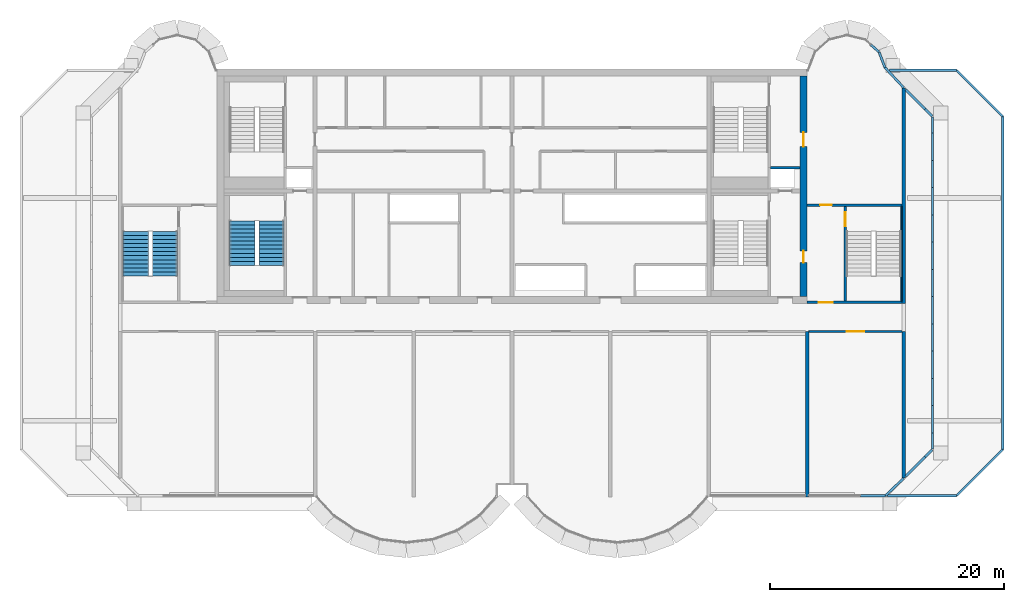
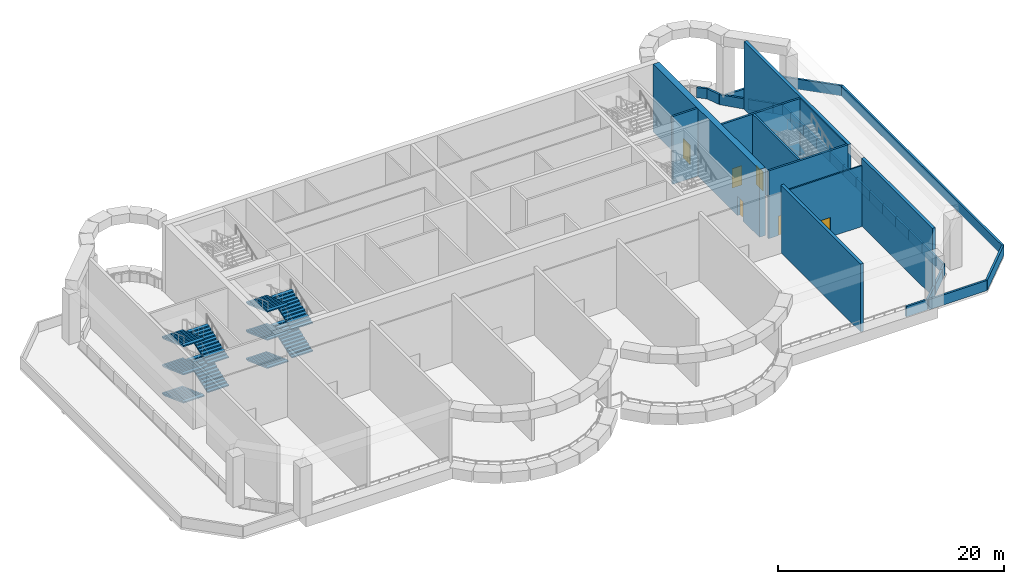
# One storey, part 5 of 11: 37 walls, 10 stair flights, 6 doors, 6 openings, 2 elements without a shape of their own.
"""IFC4 building model written with IfcOpenShell, lengths in metres."""

from ifc_helpers import new_model, si_unit, direction, frame, frame_2d, origin, place, context, subcontext, project, spatial, polyline, rectangle, outline, extrude, source, transform, mapped, material, layer, layer_set, type_object, element, fill, aggregate, save


model = new_model("IFC4")

# Units and contexts
model_context = context("Model", 3, precision=1e-05, world=origin(), true_north=direction((0.0, 1.0)))
body_context = subcontext(model_context, "Body", "Model", "MODEL_VIEW")
ifc_project = project(units=[si_unit("LENGTHUNIT", "METRE"), si_unit("AREAUNIT", "SQUARE_METRE"), si_unit("VOLUMEUNIT", "CUBIC_METRE"), si_unit("PLANEANGLEUNIT", "RADIAN"), si_unit("MASSUNIT", "GRAM", prefix="KILO")], contexts=[model_context])

# Site, building, storey
site_placement = place(None, origin())
site = spatial("IfcSite", under=ifc_project, at=site_placement, CompositionType="ELEMENT")
building_placement = place(site_placement, origin())
building = spatial("IfcBuilding", under=site, at=building_placement, Name="Vanashikhar Sky Hotel", CompositionType="ELEMENT")
storey_placement = place(building_placement, frame((0.0, 0.0, 206.39990234375)))
storey = spatial("IfcBuildingStorey", under=building, at=storey_placement, Name="L50", CompositionType="ELEMENT", Elevation=206.39990234375)

# Wall, openings, doors
ifc_material_1 = material(Name="Concrete M60", Category="concrete")
ifc_layer_1 = layer(ifc_material_1, 0.60009765625)
ifc_layer_set_1 = layer_set([ifc_layer_1], Name="RC core shell wall 600 Concrete M60")
wall_type_1 = type_object("IfcWallType", Name="RC core shell wall 600 Concrete M60", PredefinedType="SHEAR", material=ifc_layer_set_1)
shared_shape_1 = source(origin(), body_context, "Body", "SweptSolid", [
    extrude(rectangle(XDim=18.7998046875, YDim=0.60009765625, at=frame_2d((9.39990234375, 0.0))), origin(), (0.0, 0.0, 1.0), 7.320068359375),
])
wall_1_placement = place(storey_placement, frame((75.300048828125, 22.60009765625, 0.0), z_axis=(0.0, 0.0, 1.0), x_axis=(0.0, 1.0, 0.0)))
wall_1 = element("IfcWall", 1, at=wall_1_placement, inside=storey, type_object=wall_type_1, Name="KW-L50-KE", PredefinedType="SHEAR", context=body_context, shape_type="MappedRepresentation", body=[
    mapped(shared_shape_1, transform((0.0, 0.0, 0.0), scale=1.0)),
])
shared_shape_2 = source(origin(), body_context, "Body", "SweptSolid", [
    extrude(rectangle(XDim=1.0, YDim=2.10009765625, at=frame_2d((0.5, 1.050048828125))), frame((0.0, 0.31005859375, 0.0), z_axis=(0.0, -1.0, 0.0), x_axis=(1.0, 0.0, 0.0)), (0.0, 0.0, 1.0), 0.6201171875),
])
opening_1_placement = place(wall_1_placement, frame((2.89990234375, 0.0, 0.0)))
opening_1 = element("IfcOpeningElement", 2, at=opening_1_placement, cuts=wall_1, Name="Opening DC-5", PredefinedType="OPENING", context=body_context, shape_type="MappedRepresentation", body=[
    mapped(shared_shape_2, transform((0.0, 0.0, 0.0), scale=1.0)),
])
shared_shape_3 = source(origin(), body_context, "Body", "SweptSolid", [
    extrude(rectangle(XDim=1.199951171875, YDim=2.10009765625, at=frame_2d((0.60009765625, 1.050048828125))), frame((0.0, 0.31005859375, 0.0), z_axis=(0.0, -1.0, 0.0), x_axis=(1.0, 0.0, 0.0)), (0.0, 0.0, 1.0), 0.6201171875),
])
opening_2_placement = place(wall_1_placement, frame((12.800048828125, 0.0, 0.0)))
opening_2 = element("IfcOpeningElement", 3, at=opening_2_placement, cuts=wall_1, Name="Opening DC-4-D", PredefinedType="OPENING", context=body_context, shape_type="MappedRepresentation", body=[
    mapped(shared_shape_3, transform((0.0, 0.0, 0.0), scale=1.0)),
])
ifc_material_2 = material(Name="Steel", Category="steel")
door_type_1 = type_object("IfcDoorType", Name="Refuge door 1000 FD120", OperationType="NOTDEFINED", PredefinedType="DOOR", material=ifc_material_2)
shared_shape_4 = source(origin(), body_context, "Body", "SweptSolid", [
    extrude(rectangle(XDim=1.0, YDim=2.10009765625, at=frame_2d((0.5, 1.050048828125))), frame((0.0, 0.02490234375, 0.0), z_axis=(0.0, -1.0, 0.0), x_axis=(1.0, 0.0, 0.0)), (0.0, 0.0, 1.0), 0.050048828125),
])
door_1_placement = place(opening_1_placement, origin())
door_1 = element("IfcDoor", 4, at=door_1_placement, inside=storey, type_object=door_type_1, Name="Refuge door 1000 FD120", OperationType="SINGLE_SWING_RIGHT", OverallHeight=2.10009765625, OverallWidth=1.0, PredefinedType="DOOR", context=body_context, shape_type="MappedRepresentation", body=[
    mapped(shared_shape_4, transform((0.0, 0.0, 0.0), scale=1.0)),
])
fill(opening_1, door_1)
door_type_2 = type_object("IfcDoorType", Name="Service door 1200 FD120", OperationType="NOTDEFINED", PredefinedType="DOOR", material=ifc_material_2)
shared_shape_5 = source(origin(), body_context, "Body", "SweptSolid", [
    extrude(rectangle(XDim=1.199951171875, YDim=2.10009765625, at=frame_2d((0.60009765625, 1.050048828125))), frame((0.0, 0.02490234375, 0.0), z_axis=(0.0, -1.0, 0.0), x_axis=(1.0, 0.0, 0.0)), (0.0, 0.0, 1.0), 0.050048828125),
])
door_2_placement = place(opening_2_placement, origin())
door_2 = element("IfcDoor", 5, at=door_2_placement, inside=storey, type_object=door_type_2, Name="Service door 1200 FD120", OperationType="SINGLE_SWING_LEFT", OverallHeight=2.10009765625, OverallWidth=1.199951171875, PredefinedType="DOOR", context=body_context, shape_type="MappedRepresentation", body=[
    mapped(shared_shape_5, transform((0.0, 0.0, 0.0), scale=1.0)),
])
fill(opening_2, door_2)

# Walls
ifc_layer_2 = layer(ifc_material_1, 0.300048828125)
ifc_layer_set_2 = layer_set([ifc_layer_2], Name="RC shear wall 300 Concrete M60")
wall_type_2 = type_object("IfcWallType", Name="RC shear wall 300 Concrete M60", PredefinedType="SHEAR", material=ifc_layer_set_2)
shared_shape_6 = source(origin(), body_context, "Body", "SweptSolid", [
    extrude(rectangle(XDim=12.5, YDim=0.300048828125, at=frame_2d((6.25, 0.0))), origin(), (0.0, 0.0, 1.0), 7.320068359375),
])
wall_2_placement = place(storey_placement, frame((83.85009765625, 7.10009765625, 0.0), z_axis=(0.0, 0.0, 1.0), x_axis=(0.0, 1.0, 0.0)))
element("IfcWall", 6, at=wall_2_placement, inside=storey, type_object=wall_type_2, Name="CW-L50-XW11-1", PredefinedType="SHEAR", context=body_context, shape_type="MappedRepresentation", body=[
    mapped(shared_shape_6, transform((0.0, 0.0, 0.0), scale=1.0)),
])
shared_shape_7 = source(origin(), body_context, "Body", "SweptSolid", [
    extrude(rectangle(XDim=18.39990234375, YDim=0.300048828125, at=frame_2d((9.199951171875, 0.0))), origin(), (0.0, 0.0, 1.0), 7.320068359375),
])
wall_3_placement = place(storey_placement, frame((83.85009765625, 22.0, 0.0), z_axis=(0.0, 0.0, 1.0), x_axis=(0.0, 1.0, 0.0)))
element("IfcWall", 7, at=wall_3_placement, inside=storey, type_object=wall_type_2, Name="CW-L50-XW11-2", PredefinedType="SHEAR", context=body_context, shape_type="MappedRepresentation", body=[
    mapped(shared_shape_7, transform((0.0, 0.0, 0.0), scale=1.0)),
])
shared_shape_8 = source(origin(), body_context, "Body", "SweptSolid", [
    extrude(rectangle(XDim=14.10009765625, YDim=0.300048828125, at=frame_2d((7.050048828125, 0.0))), origin(), (0.0, 0.0, 1.0), 7.320068359375),
])
wall_4_placement = place(storey_placement, frame((75.60009765625, 5.5, 0.0), z_axis=(0.0, 0.0, 1.0), x_axis=(0.0, 1.0, 0.0)))
element("IfcWall", 8, at=wall_4_placement, inside=storey, type_object=wall_type_2, Name="CW-L50-XW10-1", PredefinedType="SHEAR", context=body_context, shape_type="MappedRepresentation", body=[
    mapped(shared_shape_8, transform((0.0, 0.0, 0.0), scale=1.0)),
])
ifc_material_3 = material(Name="Concrete M50", Category="concrete")
ifc_layer_3 = layer(ifc_material_3, 0.199951171875)
ifc_layer_set_3 = layer_set([ifc_layer_3], Name="Parapet 200")
wall_type_3 = type_object("IfcWallType", Name="Parapet 200", PredefinedType="PARAPET", material=ifc_layer_set_3)
shared_shape_9 = source(origin(), body_context, "Body", "SweptSolid", [
    extrude(rectangle(XDim=2.32421875, YDim=0.199951171875, at=frame_2d((1.162109375, 0.0))), origin(), (0.0, 0.0, 1.0), 1.10009765625),
])
for number, where, z_axis, x_axis, name in (
    (9, (84.02001953125, 40.238525390625, 0.0), (0.0, 0.0, 1.0), (0.707106781187, -0.707106781187, 0.0), "Floor edge parapet"),
    (10, (86.300048828125, 34.209716796875, 0.0), (0.0, 0.0, 1.0), (0.0, -1.0, 0.0), "Floor edge parapet"),
    (11, (86.300048828125, 24.912109375, 0.0), (0.0, 0.0, 1.0), (0.0, -1.0, 0.0), "Floor edge parapet"),
    (12, (86.300048828125, 15.614501953125, 0.0), (0.0, 0.0, 1.0), (0.0, -1.0, 0.0), "Floor edge parapet"),
    (13, (85.66357421875, 8.905029296875, 0.0), (0.0, 0.0, 1.0), (-0.707106781187, -0.707106781187, 0.0), "Floor edge parapet"),
):
    element("IfcWall", number, at=place(storey_placement, frame(where, z_axis=z_axis, x_axis=x_axis)), inside=storey, type_object=wall_type_3, Name=name, PredefinedType="PARAPET", context=body_context, shape_type="MappedRepresentation", body=[
        mapped(shared_shape_9, transform((0.0, 0.0, 0.0), scale=1.0)),
    ])
shared_shape_10 = source(origin(), body_context, "Body", "SweptSolid", [
    extrude(rectangle(XDim=0.858642578125, YDim=0.199951171875, at=frame_2d((0.42919921875, 0.0))), origin(), (0.0, 0.0, 1.0), 1.10009765625),
])
for number, where, z_axis, x_axis, name in (
    (14, (85.66357421875, 38.594970703125, 0.0), (0.0, 0.0, 1.0), (0.707106781187, -0.707106781187, 0.0), "Floor edge parapet"),
    (15, (86.270751953125, 9.51220703125, 0.0), (0.0, 0.0, 1.0), (-0.707106781187, -0.707106781187, 0.0), "Floor edge parapet"),
):
    element("IfcWall", number, at=place(storey_placement, frame(where, z_axis=z_axis, x_axis=x_axis)), inside=storey, type_object=wall_type_3, Name=name, PredefinedType="PARAPET", context=body_context, shape_type="MappedRepresentation", body=[
        mapped(shared_shape_10, transform((0.0, 0.0, 0.0), scale=1.0)),
    ])
shared_shape_11 = source(origin(), body_context, "Body", "SweptSolid", [
    extrude(rectangle(XDim=1.383056640625, YDim=0.199951171875, at=frame_2d((0.69140625, 0.0))), origin(), (0.0, 0.0, 1.0), 1.10009765625),
])
for number, where, z_axis, x_axis, name in (
    (16, (86.300048828125, 37.917236328125, 0.0), (0.0, 0.0, 1.0), (0.0, -1.0, 0.0), "Floor edge parapet"),
    (17, (86.300048828125, 10.9658203125, 0.0), (0.0, 0.0, 1.0), (0.0, -1.0, 0.0), "Floor edge parapet"),
):
    element("IfcWall", number, at=place(storey_placement, frame(where, z_axis=z_axis, x_axis=x_axis)), inside=storey, type_object=wall_type_3, Name=name, PredefinedType="PARAPET", context=body_context, shape_type="MappedRepresentation", body=[
        mapped(shared_shape_11, transform((0.0, 0.0, 0.0), scale=1.0)),
    ])
shared_shape_12 = source(origin(), body_context, "Body", "SweptSolid", [
    extrude(rectangle(XDim=2.324462890625, YDim=0.199951171875, at=frame_2d((1.162109375, 0.0))), origin(), (0.0, 0.0, 1.0), 1.10009765625),
])
for number, where, z_axis, x_axis, name in (
    (18, (86.300048828125, 36.5341796875, 0.0), (0.0, 0.0, 1.0), (0.0, -1.0, 0.0), "Floor edge parapet"),
    (19, (86.300048828125, 31.885498046875, 0.0), (0.0, 0.0, 1.0), (0.0, -1.0, 0.0), "Floor edge parapet"),
    (20, (86.300048828125, 29.56103515625, 0.0), (0.0, 0.0, 1.0), (0.0, -1.0, 0.0), "Floor edge parapet"),
    (21, (86.300048828125, 27.236572265625, 0.0), (0.0, 0.0, 1.0), (0.0, -1.0, 0.0), "Floor edge parapet"),
    (22, (86.300048828125, 22.587890625, 0.0), (0.0, 0.0, 1.0), (0.0, -1.0, 0.0), "Floor edge parapet"),
    (23, (86.300048828125, 20.263427734375, 0.0), (0.0, 0.0, 1.0), (0.0, -1.0, 0.0), "Floor edge parapet"),
    (24, (86.300048828125, 17.93896484375, 0.0), (0.0, 0.0, 1.0), (0.0, -1.0, 0.0), "Floor edge parapet"),
    (25, (86.300048828125, 13.290283203125, 0.0), (0.0, 0.0, 1.0), (0.0, -1.0, 0.0), "Floor edge parapet"),
):
    element("IfcWall", number, at=place(storey_placement, frame(where, z_axis=z_axis, x_axis=x_axis)), inside=storey, type_object=wall_type_3, Name=name, PredefinedType="PARAPET", context=body_context, shape_type="MappedRepresentation", body=[
        mapped(shared_shape_12, transform((0.0, 0.0, 0.0), scale=1.0)),
    ])
shared_shape_13 = source(origin(), body_context, "Body", "SweptSolid", [
    extrude(rectangle(XDim=2.17041015625, YDim=0.199951171875, at=frame_2d((1.085205078125, 0.0))), origin(), (0.0, 0.0, 1.0), 1.10009765625),
])
wall_5_placement = place(storey_placement, frame((82.28125, 5.60009765625, 0.0), z_axis=(0.0, 0.0, 1.0), x_axis=(-1.0, 0.0, 0.0)))
element("IfcWall", 26, at=wall_5_placement, inside=storey, type_object=wall_type_3, Name="Floor edge parapet", PredefinedType="PARAPET", context=body_context, shape_type="MappedRepresentation", body=[
    mapped(shared_shape_13, transform((0.0, 0.0, 0.0), scale=1.0)),
])
shared_shape_14 = source(origin(), body_context, "Body", "SweptSolid", [
    extrude(rectangle(XDim=2.1484375, YDim=0.199951171875, at=frame_2d((1.07421875, 0.0))), origin(), (0.0, 0.0, 1.0), 1.10009765625),
])
wall_6_placement = place(storey_placement, frame((83.838623046875, 7.080078125, 0.0), z_axis=(0.0, 0.0, 1.0), x_axis=(-0.724888774008, -0.688865926953, 0.0)))
element("IfcWall", 27, at=wall_6_placement, inside=storey, type_object=wall_type_3, Name="Floor edge parapet", PredefinedType="PARAPET", context=body_context, shape_type="MappedRepresentation", body=[
    mapped(shared_shape_14, transform((0.0, 0.0, 0.0), scale=1.0)),
])
shared_shape_15 = source(origin(), body_context, "Body", "SweptSolid", [
    extrude(rectangle(XDim=2.355224609375, YDim=0.199951171875, at=frame_2d((1.177734375, 0.0))), origin(), (0.0, 0.0, 1.0), 1.10009765625),
])
wall_7_placement = place(storey_placement, frame((82.23681640625, 42.146728515625, 0.0), z_axis=(0.0, 0.0, 1.0), x_axis=(0.68007331117, -0.733144113687, 0.0)))
element("IfcWall", 28, at=wall_7_placement, inside=storey, type_object=wall_type_3, Name="Floor edge parapet", PredefinedType="PARAPET", context=body_context, shape_type="MappedRepresentation", body=[
    mapped(shared_shape_15, transform((0.0, 0.0, 0.0), scale=1.0)),
])
shared_shape_16 = source(origin(), body_context, "Body", "SweptSolid", [
    extrude(rectangle(XDim=1.390625, YDim=0.199951171875, at=frame_2d((0.6953125, 0.0))), origin(), (0.0, 0.0, 1.0), 1.10009765625),
])
wall_8_placement = place(storey_placement, frame((81.7392578125, 43.4453125, 0.0), z_axis=(0.0, 0.0, 1.0), x_axis=(0.357790593379, -0.933801847979, 0.0)))
element("IfcWall", 29, at=wall_8_placement, inside=storey, type_object=wall_type_3, Name="Floor edge parapet", PredefinedType="PARAPET", context=body_context, shape_type="MappedRepresentation", body=[
    mapped(shared_shape_16, transform((0.0, 0.0, 0.0), scale=1.0)),
])
shared_shape_17 = source(origin(), body_context, "Body", "SweptSolid", [
    extrude(rectangle(XDim=0.9326171875, YDim=0.199951171875, at=frame_2d((0.46630859375, 0.0))), origin(), (0.0, 0.0, 1.0), 1.10009765625),
])
wall_9_placement = place(storey_placement, frame((81.0126953125, 44.101806640625, 0.0), z_axis=(0.0, 0.0, 1.0), x_axis=(0.749715614299, -0.661760151169, 0.0)))
element("IfcWall", 30, at=wall_9_placement, inside=storey, type_object=wall_type_3, Name="Floor edge parapet", PredefinedType="PARAPET", context=body_context, shape_type="MappedRepresentation", body=[
    mapped(shared_shape_17, transform((0.0, 0.0, 0.0), scale=1.0)),
])
shared_shape_18 = source(origin(), body_context, "Body", "SweptSolid", [
    extrude(rectangle(XDim=5.9091796875, YDim=0.199951171875, at=frame_2d((2.95458984375, 0.0))), origin(), (0.0, 0.0, 1.0), 1.099853515625),
])
wall_10_placement = place(storey_placement, frame((88.357666015625, 5.60205078125, -0.0498046875), z_axis=(0.0, 0.0, 1.0), x_axis=(-1.0, 0.0, 0.0)))
element("IfcWall", 31, at=wall_10_placement, inside=storey, type_object=wall_type_3, Name="Roof parapet", PredefinedType="PARAPET", context=body_context, shape_type="MappedRepresentation", body=[
    mapped(shared_shape_18, transform((0.0, 0.0, 0.0), scale=1.0)),
])
shared_shape_19 = source(origin(), body_context, "Body", "SweptSolid", [
    extrude(rectangle(XDim=5.572509765625, YDim=0.199951171875, at=frame_2d((2.7861328125, 0.0))), origin(), (0.0, 0.0, 1.0), 1.099853515625),
])
for number, where, z_axis, x_axis, name in (
    (32, (88.357666015625, 41.89794921875, -0.0498046875), (0.0, 0.0, 1.0), (0.707106781187, -0.707106781187, 0.0), "Roof parapet"),
    (33, (92.298095703125, 9.54248046875, -0.0498046875), (0.0, 0.0, 1.0), (-0.707106781187, -0.707106781187, 0.0), "Roof parapet"),
):
    element("IfcWall", number, at=place(storey_placement, frame(where, z_axis=z_axis, x_axis=x_axis)), inside=storey, type_object=wall_type_3, Name=name, PredefinedType="PARAPET", context=body_context, shape_type="MappedRepresentation", body=[
        mapped(shared_shape_19, transform((0.0, 0.0, 0.0), scale=1.0)),
    ])
shared_shape_20 = source(origin(), body_context, "Body", "SweptSolid", [
    extrude(rectangle(XDim=28.4150390625, YDim=0.199951171875, at=frame_2d((14.20751953125, 0.0))), origin(), (0.0, 0.0, 1.0), 1.099853515625),
])
wall_11_placement = place(storey_placement, frame((92.298095703125, 37.95751953125, -0.0498046875), z_axis=(0.0, 0.0, 1.0), x_axis=(0.0, -1.0, 0.0)))
element("IfcWall", 34, at=wall_11_placement, inside=storey, type_object=wall_type_3, Name="Roof parapet", PredefinedType="PARAPET", context=body_context, shape_type="MappedRepresentation", body=[
    mapped(shared_shape_20, transform((0.0, 0.0, 0.0), scale=1.0)),
])
shared_shape_21 = source(origin(), body_context, "Body", "SweptSolid", [
    extrude(rectangle(XDim=5.73388671875, YDim=0.199951171875, at=frame_2d((2.866943359375, 0.0))), origin(), (0.0, 0.0, 1.0), 1.099853515625),
])
wall_12_placement = place(storey_placement, frame((82.623779296875, 41.89794921875, -0.0498046875), z_axis=(0.0, 0.0, 1.0), x_axis=(1.0, 0.0, 0.0)))
element("IfcWall", 35, at=wall_12_placement, inside=storey, type_object=wall_type_3, Name="Roof parapet", PredefinedType="PARAPET", context=body_context, shape_type="MappedRepresentation", body=[
    mapped(shared_shape_21, transform((0.0, 0.0, 0.0), scale=1.0)),
])
ifc_material_4 = material(Name="Concrete M40", Category="concrete")
ifc_layer_4 = layer(ifc_material_4, 0.199951171875)
ifc_layer_set_4 = layer_set([ifc_layer_4], Name="Shaft wall 200")
wall_type_4 = type_object("IfcWallType", Name="Shaft wall 200", PredefinedType="SOLIDWALL", material=ifc_layer_set_4)
shared_shape_22 = source(origin(), body_context, "Body", "SweptSolid", [
    extrude(rectangle(XDim=2.550048828125, YDim=0.199951171875, at=frame_2d((1.27490234375, 0.0))), origin(), (0.0, 0.0, 1.0), 7.320068359375),
])
wall_13_placement = place(storey_placement, frame((72.449951171875, 33.60009765625, 0.0), z_axis=(0.0, 0.0, 1.0), x_axis=(1.0, 0.0, 0.0)))
element("IfcWall", 36, at=wall_13_placement, inside=storey, type_object=wall_type_4, Name="Shaft wall 200", PredefinedType="SOLIDWALL", context=body_context, shape_type="MappedRepresentation", body=[
    mapped(shared_shape_22, transform((0.0, 0.0, 0.0), scale=1.0)),
])

# Wall, opening, door
ifc_layer_5 = layer(ifc_material_3, 0.199951171875)
ifc_layer_set_5 = layer_set([ifc_layer_5], Name="Stair wall 200")
wall_type_5 = type_object("IfcWallType", Name="Stair wall 200", PredefinedType="SOLIDWALL", material=ifc_layer_set_5)
shared_shape_23 = source(origin(), body_context, "Body", "SweptSolid", [
    extrude(rectangle(XDim=8.2998046875, YDim=0.199951171875, at=frame_2d((4.14990234375, 0.0))), origin(), (0.0, 0.0, 1.0), 7.320068359375),
])
wall_14_placement = place(storey_placement, frame((78.85009765625, 22.10009765625, 0.0), z_axis=(0.0, 0.0, 1.0), x_axis=(0.0, 1.0, 0.0)))
wall_14 = element("IfcWall", 37, at=wall_14_placement, inside=storey, type_object=wall_type_5, Name="Stair wall 200", PredefinedType="SOLIDWALL", context=body_context, shape_type="MappedRepresentation", body=[
    mapped(shared_shape_23, transform((0.0, 0.0, 0.0), scale=1.0)),
])
shared_shape_24 = source(origin(), body_context, "Body", "SweptSolid", [
    extrude(rectangle(XDim=1.199951171875, YDim=2.10009765625, at=frame_2d((0.60009765625, 1.050048828125))), frame((0.0, 0.10986328125, 0.0), z_axis=(0.0, -1.0, 0.0), x_axis=(1.0, 0.0, 0.0)), (0.0, 0.0, 1.0), 0.219970703125),
])
opening_3_placement = place(wall_14_placement, frame((6.5, 0.0, 0.0)))
opening_3 = element("IfcOpeningElement", 38, at=opening_3_placement, cuts=wall_14, Name="Opening DC-1", PredefinedType="OPENING", context=body_context, shape_type="MappedRepresentation", body=[
    mapped(shared_shape_24, transform((0.0, 0.0, 0.0), scale=1.0)),
])
door_type_3 = type_object("IfcDoorType", Name="Stair door 1200 FD120", OperationType="NOTDEFINED", PredefinedType="DOOR", material=ifc_material_2)
door_3_placement = place(opening_3_placement, origin())
door_3 = element("IfcDoor", 39, at=door_3_placement, inside=storey, type_object=door_type_3, Name="Stair door 1200 FD120", OperationType="SINGLE_SWING_RIGHT", OverallHeight=2.10009765625, OverallWidth=1.199951171875, PredefinedType="DOOR", context=body_context, shape_type="MappedRepresentation", body=[
    mapped(shared_shape_5, transform((0.0, 0.0, 0.0), scale=1.0)),
])
fill(opening_3, door_3)

shared_shape_25 = source(origin(), body_context, "Body", "SweptSolid", [
    extrude(rectangle(XDim=8.099853515625, YDim=0.199951171875, at=frame_2d((4.0498046875, 0.0))), origin(), (0.0, 0.0, 1.0), 7.320068359375),
])
wall_15_placement = place(storey_placement, frame((83.699951171875, 22.10009765625, 0.0), z_axis=(0.0, 0.0, 1.0), x_axis=(-1.0, 0.0, 0.0)))
wall_15 = element("IfcWall", 40, at=wall_15_placement, inside=storey, type_object=wall_type_5, Name="Stair wall 200", PredefinedType="SOLIDWALL", context=body_context, shape_type="MappedRepresentation", body=[
    mapped(shared_shape_25, transform((0.0, 0.0, 0.0), scale=1.0)),
])
opening_4_placement = place(wall_15_placement, frame((5.89990234375, 0.0, 0.0)))
opening_4 = element("IfcOpeningElement", 41, at=opening_4_placement, cuts=wall_15, Name="Opening DC-2", PredefinedType="OPENING", context=body_context, shape_type="MappedRepresentation", body=[
    mapped(shared_shape_24, transform((0.0, 0.0, 0.0), scale=1.0)),
])
door_type_4 = type_object("IfcDoorType", Name="Firefighting lobby door 1200 FD120", OperationType="NOTDEFINED", PredefinedType="DOOR", material=ifc_material_2)
door_4_placement = place(opening_4_placement, origin())
door_4 = element("IfcDoor", 42, at=door_4_placement, inside=storey, type_object=door_type_4, Name="Firefighting lobby door 1200 FD120", OperationType="SINGLE_SWING_RIGHT", OverallHeight=2.10009765625, OverallWidth=1.199951171875, PredefinedType="DOOR", context=body_context, shape_type="MappedRepresentation", body=[
    mapped(shared_shape_5, transform((0.0, 0.0, 0.0), scale=1.0)),
])
fill(opening_4, door_4)

wall_16_placement = place(storey_placement, frame((83.699951171875, 30.39990234375, 0.0), z_axis=(0.0, 0.0, 1.0), x_axis=(-1.0, 0.0, 0.0)))
wall_16 = element("IfcWall", 43, at=wall_16_placement, inside=storey, type_object=wall_type_5, Name="Stair wall 200", PredefinedType="SOLIDWALL", context=body_context, shape_type="MappedRepresentation", body=[
    mapped(shared_shape_25, transform((0.0, 0.0, 0.0), scale=1.0)),
])
shared_shape_26 = source(origin(), body_context, "Body", "SweptSolid", [
    extrude(rectangle(XDim=1.0, YDim=2.10009765625, at=frame_2d((0.5, 1.050048828125))), frame((0.0, 0.10986328125, 0.0), z_axis=(0.0, -1.0, 0.0), x_axis=(1.0, 0.0, 0.0)), (0.0, 0.0, 1.0), 0.219970703125),
])
opening_5_placement = place(wall_16_placement, frame((6.0, 0.0, 0.0)))
opening_5 = element("IfcOpeningElement", 44, at=opening_5_placement, cuts=wall_16, Name="Opening DC-6", PredefinedType="OPENING", context=body_context, shape_type="MappedRepresentation", body=[
    mapped(shared_shape_26, transform((0.0, 0.0, 0.0), scale=1.0)),
])
door_type_5 = type_object("IfcDoorType", Name="Pocket door 1000 FD60", OperationType="NOTDEFINED", PredefinedType="DOOR", material=ifc_material_2)
door_5_placement = place(opening_5_placement, origin())
door_5 = element("IfcDoor", 45, at=door_5_placement, inside=storey, type_object=door_type_5, Name="Pocket door 1000 FD60", OperationType="SINGLE_SWING_RIGHT", OverallHeight=2.10009765625, OverallWidth=1.0, PredefinedType="DOOR", context=body_context, shape_type="MappedRepresentation", body=[
    mapped(shared_shape_4, transform((0.0, 0.0, 0.0), scale=1.0)),
])
fill(opening_5, door_5)

# Wall
ifc_layer_6 = layer(ifc_material_3, 0.10009765625)
ifc_layer_set_6 = layer_set([ifc_layer_6], Name="Stair infill wall 100")
wall_type_6 = type_object("IfcWallType", Name="Stair infill wall 100", PredefinedType="SOLIDWALL", material=ifc_layer_set_6)
shared_shape_27 = source(origin(), body_context, "Body", "SweptSolid", [
    extrude(rectangle(XDim=8.10009765625, YDim=0.10009765625, at=frame_2d((4.050048828125, 0.0))), origin(), (0.0, 0.0, 1.0), 7.320068359375),
])
wall_17_placement = place(storey_placement, frame((83.64990234375, 22.199951171875, 0.0), z_axis=(0.0, 0.0, 1.0), x_axis=(0.0, 1.0, 0.0)))
element("IfcWall", 46, at=wall_17_placement, inside=storey, type_object=wall_type_6, Name="Stair infill wall 100", PredefinedType="SOLIDWALL", context=body_context, shape_type="MappedRepresentation", body=[
    mapped(shared_shape_27, transform((0.0, 0.0, 0.0), scale=1.0)),
])

# Wall, opening, door
ifc_material_5 = material(Name="Gypsum board partition")
ifc_layer_7 = layer(ifc_material_5, 0.14990234375)
ifc_layer_set_7 = layer_set([ifc_layer_7], Name="Service partition 150")
wall_type_7 = type_object("IfcWallType", Name="Service partition 150", PredefinedType="PARTITIONING", material=ifc_layer_set_7)
shared_shape_28 = source(origin(), body_context, "Body", "SweptSolid", [
    extrude(rectangle(XDim=7.949951171875, YDim=0.14990234375, at=frame_2d((3.97509765625, 0.0))), origin(), (0.0, 0.0, 1.0), 6.570068359375),
])
wall_18_placement = place(storey_placement, frame((75.75, 19.60009765625, 0.0), z_axis=(0.0, 0.0, 1.0), x_axis=(1.0, 0.0, 0.0)))
wall_18 = element("IfcWall", 47, at=wall_18_placement, inside=storey, type_object=wall_type_7, Name="Service partition 150", PredefinedType="PARTITIONING", context=body_context, shape_type="MappedRepresentation", body=[
    mapped(shared_shape_28, transform((0.0, 0.0, 0.0), scale=1.0)),
])
shared_shape_29 = source(origin(), body_context, "Body", "SweptSolid", [
    extrude(rectangle(XDim=1.5, YDim=2.10009765625, at=frame_2d((0.75, 1.050048828125))), frame((0.0, 0.0849609375, 0.0), z_axis=(0.0, -1.0, 0.0), x_axis=(1.0, 0.0, 0.0)), (0.0, 0.0, 1.0), 0.169921875),
])
opening_6_placement = place(wall_18_placement, frame((3.22509765625, 0.0, 0.0)))
opening_6 = element("IfcOpeningElement", 48, at=opening_6_placement, cuts=wall_18, Name="Opening DC-4-E", PredefinedType="OPENING", context=body_context, shape_type="MappedRepresentation", body=[
    mapped(shared_shape_29, transform((0.0, 0.0, 0.0), scale=1.0)),
])
door_type_6 = type_object("IfcDoorType", Name="Service door 1500 FD60", OperationType="NOTDEFINED", PredefinedType="DOOR", material=ifc_material_2)
shared_shape_30 = source(origin(), body_context, "Body", "SweptSolid", [
    extrude(rectangle(XDim=1.5, YDim=2.10009765625, at=frame_2d((0.75, 1.050048828125))), frame((0.0, 0.02490234375, 0.0), z_axis=(0.0, -1.0, 0.0), x_axis=(1.0, 0.0, 0.0)), (0.0, 0.0, 1.0), 0.050048828125),
])
door_6_placement = place(opening_6_placement, origin())
door_6 = element("IfcDoor", 49, at=door_6_placement, inside=storey, type_object=door_type_6, Name="Service door 1500 FD60", OperationType="SINGLE_SWING_LEFT", OverallHeight=2.10009765625, OverallWidth=1.5, PredefinedType="DOOR", context=body_context, shape_type="MappedRepresentation", body=[
    mapped(shared_shape_30, transform((0.0, 0.0, 0.0), scale=1.0)),
])
fill(opening_6, door_6)

# Stair, stair flights
stair_type = type_object("IfcStairType", Name="Exit stair 2150", PredefinedType="DOUBLE_RETURN_STAIR", material=ifc_material_4)
stair_1_placement = place(storey_placement, origin())
stair_1 = element("IfcStair", 50, at=stair_1_placement, inside=storey, type_object=stair_type, Name="L50 Exit stair 1", PredefinedType="DOUBLE_RETURN_STAIR")
stair_flight_type = type_object("IfcStairFlightType", Name="Stair flight 2150", PredefinedType="STRAIGHT", material=ifc_material_4)
shared_shape_31 = source(origin(), body_context, "Body", "SweptSolid", [
    extrude(outline(polyline([(0.0, 0.0), (0.0, 0.126708984375), (0.345458984375, 0.126708984375), (0.345458984375, 0.25341796875), (0.69091796875, 0.25341796875), (0.69091796875, 0.3798828125), (1.036376953125, 0.3798828125), (1.036376953125, 0.506591796875), (1.3818359375, 0.506591796875), (1.3818359375, 0.63330078125), (1.727294921875, 0.63330078125), (1.727294921875, 0.760009765625), (2.07275390625, 0.760009765625), (2.07275390625, 0.88671875), (2.418212890625, 0.88671875), (2.418212890625, 1.013427734375), (2.763671875, 1.013427734375), (2.763671875, 1.139892578125), (3.109130859375, 1.139892578125), (3.109130859375, 1.2666015625), (3.45458984375, 1.2666015625), (3.45458984375, 1.393310546875), (3.800048828125, 1.393310546875), (3.800048828125, 1.52001953125), (3.800048828125, 1.265380859375), (0.348876953125, 0.0), (0.0, 0.0)])), frame((0.0, 1.074951171875, 0.0), z_axis=(0.0, -1.0, 0.0), x_axis=(1.0, 0.0, 0.0)), (0.0, 0.0, 1.0), 2.14990234375),
])
stair_flight_1_placement = place(storey_placement, frame((27.375, 29.050048828125, 0.0), z_axis=(0.0, 0.0, 1.0), x_axis=(0.0, -1.0, 0.0)))
stair_flight_1 = element("IfcStairFlight", 51, at=stair_flight_1_placement, type_object=stair_flight_type, Name="ST-C1 flight 1", NumberOfRisers=12, NumberOfTreads=11, PredefinedType="STRAIGHT", RiserHeight=0.126666667, TreadLength=0.345454545, context=body_context, shape_type="MappedRepresentation", body=[
    mapped(shared_shape_31, transform((0.0, 0.0, 0.0), scale=1.0)),
])
stair_flight_2_placement = place(storey_placement, frame((29.875, 25.25, 1.52001953125), z_axis=(0.0, 0.0, 1.0), x_axis=(0.0, 1.0, 0.0)))
stair_flight_2 = element("IfcStairFlight", 52, at=stair_flight_2_placement, type_object=stair_flight_type, Name="ST-C1 flight 2", NumberOfRisers=12, NumberOfTreads=11, PredefinedType="STRAIGHT", RiserHeight=0.126666667, TreadLength=0.345454545, context=body_context, shape_type="MappedRepresentation", body=[
    mapped(shared_shape_31, transform((0.0, 0.0, 0.0), scale=1.0)),
])
stair_flight_3_placement = place(storey_placement, frame((27.375, 29.050048828125, 3.0400390625), z_axis=(0.0, 0.0, 1.0), x_axis=(0.0, -1.0, 0.0)))
stair_flight_3 = element("IfcStairFlight", 53, at=stair_flight_3_placement, type_object=stair_flight_type, Name="ST-C1 flight 3", NumberOfRisers=12, NumberOfTreads=11, PredefinedType="STRAIGHT", RiserHeight=0.126666667, TreadLength=0.345454545, context=body_context, shape_type="MappedRepresentation", body=[
    mapped(shared_shape_31, transform((0.0, 0.0, 0.0), scale=1.0)),
])
stair_flight_4_placement = place(storey_placement, frame((29.875, 25.25, 4.56005859375), z_axis=(0.0, 0.0, 1.0), x_axis=(0.0, 1.0, 0.0)))
stair_flight_4 = element("IfcStairFlight", 54, at=stair_flight_4_placement, type_object=stair_flight_type, Name="ST-C1 flight 4", NumberOfRisers=12, NumberOfTreads=11, PredefinedType="STRAIGHT", RiserHeight=0.126666667, TreadLength=0.345454545, context=body_context, shape_type="MappedRepresentation", body=[
    mapped(shared_shape_31, transform((0.0, 0.0, 0.0), scale=1.0)),
])
stair_flight_5_placement = place(storey_placement, frame((27.375, 29.050048828125, 6.080078125), z_axis=(0.0, 0.0, 1.0), x_axis=(0.0, -1.0, 0.0)))
stair_flight_5 = element("IfcStairFlight", 55, at=stair_flight_5_placement, type_object=stair_flight_type, Name="ST-C1 flight 5", NumberOfRisers=12, NumberOfTreads=11, PredefinedType="STRAIGHT", RiserHeight=0.126666667, TreadLength=0.345454545, context=body_context, shape_type="MappedRepresentation", body=[
    mapped(shared_shape_31, transform((0.0, 0.0, 0.0), scale=1.0)),
])
aggregate(stair_1, [stair_flight_1, stair_flight_2, stair_flight_3, stair_flight_4, stair_flight_5])

stair_2_placement = place(storey_placement, origin())
stair_2 = element("IfcStair", 56, at=stair_2_placement, inside=storey, type_object=stair_type, Name="L50 Exit stair 3", PredefinedType="DOUBLE_RETURN_STAIR")
stair_flight_6_placement = place(storey_placement, frame((18.27490234375, 28.14990234375, 0.0), z_axis=(0.0, 0.0, 1.0), x_axis=(0.0, -1.0, 0.0)))
stair_flight_6 = element("IfcStairFlight", 57, at=stair_flight_6_placement, type_object=stair_flight_type, Name="ST-W flight 1", NumberOfRisers=12, NumberOfTreads=11, PredefinedType="STRAIGHT", RiserHeight=0.126666667, TreadLength=0.345454545, context=body_context, shape_type="MappedRepresentation", body=[
    mapped(shared_shape_31, transform((0.0, 0.0, 0.0), scale=1.0)),
])
stair_flight_7_placement = place(storey_placement, frame((20.77490234375, 24.35009765625, 1.52001953125), z_axis=(0.0, 0.0, 1.0), x_axis=(0.0, 1.0, 0.0)))
stair_flight_7 = element("IfcStairFlight", 58, at=stair_flight_7_placement, type_object=stair_flight_type, Name="ST-W flight 2", NumberOfRisers=12, NumberOfTreads=11, PredefinedType="STRAIGHT", RiserHeight=0.126666667, TreadLength=0.345454545, context=body_context, shape_type="MappedRepresentation", body=[
    mapped(shared_shape_31, transform((0.0, 0.0, 0.0), scale=1.0)),
])
stair_flight_8_placement = place(storey_placement, frame((18.27490234375, 28.14990234375, 3.0400390625), z_axis=(0.0, 0.0, 1.0), x_axis=(0.0, -1.0, 0.0)))
stair_flight_8 = element("IfcStairFlight", 59, at=stair_flight_8_placement, type_object=stair_flight_type, Name="ST-W flight 3", NumberOfRisers=12, NumberOfTreads=11, PredefinedType="STRAIGHT", RiserHeight=0.126666667, TreadLength=0.345454545, context=body_context, shape_type="MappedRepresentation", body=[
    mapped(shared_shape_31, transform((0.0, 0.0, 0.0), scale=1.0)),
])
stair_flight_9_placement = place(storey_placement, frame((20.77490234375, 24.35009765625, 4.56005859375), z_axis=(0.0, 0.0, 1.0), x_axis=(0.0, 1.0, 0.0)))
stair_flight_9 = element("IfcStairFlight", 60, at=stair_flight_9_placement, type_object=stair_flight_type, Name="ST-W flight 4", NumberOfRisers=12, NumberOfTreads=11, PredefinedType="STRAIGHT", RiserHeight=0.126666667, TreadLength=0.345454545, context=body_context, shape_type="MappedRepresentation", body=[
    mapped(shared_shape_31, transform((0.0, 0.0, 0.0), scale=1.0)),
])
stair_flight_10_placement = place(storey_placement, frame((18.27490234375, 28.14990234375, 6.080078125), z_axis=(0.0, 0.0, 1.0), x_axis=(0.0, -1.0, 0.0)))
stair_flight_10 = element("IfcStairFlight", 61, at=stair_flight_10_placement, type_object=stair_flight_type, Name="ST-W flight 5", NumberOfRisers=12, NumberOfTreads=11, PredefinedType="STRAIGHT", RiserHeight=0.126666667, TreadLength=0.345454545, context=body_context, shape_type="MappedRepresentation", body=[
    mapped(shared_shape_31, transform((0.0, 0.0, 0.0), scale=1.0)),
])
aggregate(stair_2, [stair_flight_6, stair_flight_7, stair_flight_8, stair_flight_9, stair_flight_10])

save(model, "model.ifc")
